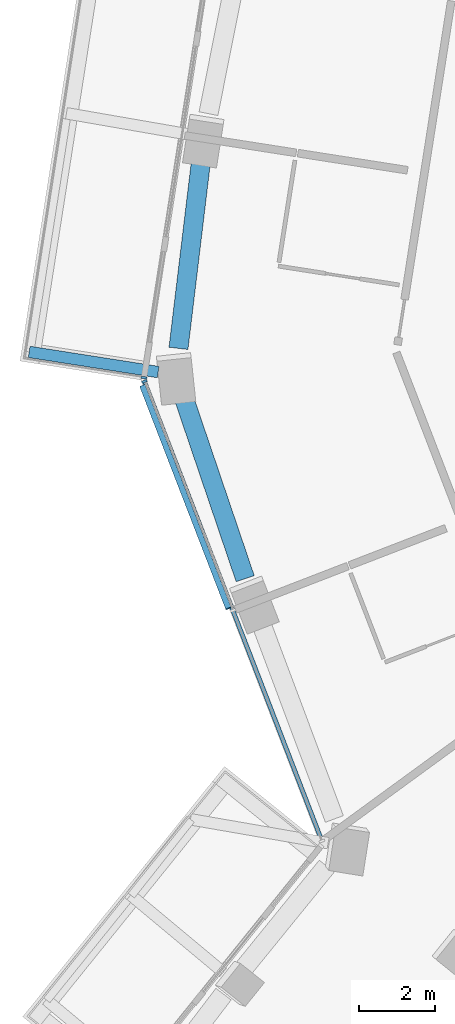
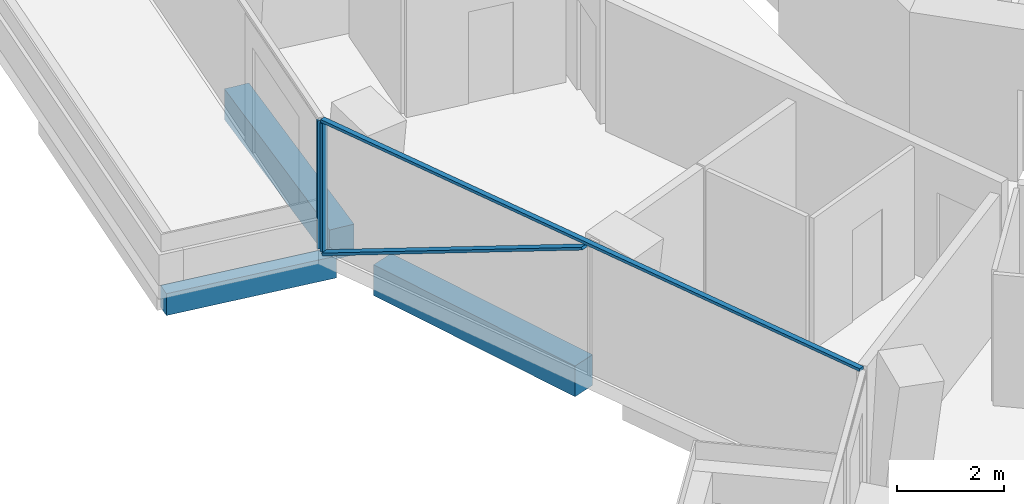
# One storey, part 4 of 23: 4 members, 3 beams, 2 elements without a shape of their own.
"""IFC4 building model written with IfcOpenShell, lengths in metres."""

from ifc_helpers import new_model, si_unit, direction, frame, origin, origin_2d, place, context, subcontext, project, spatial, rectangle, extrude, material, layer, layer_set, material_profile, profile_set, type_object, element, aggregate, save


model = new_model("IFC4")

# Units and contexts
model_context = context("Model", 3, precision=1e-05, world=origin(), true_north=direction((0.0, 1.0)))
body_context = subcontext(model_context, "Body", "Model", "MODEL_VIEW")
ifc_project = project(units=[si_unit("LENGTHUNIT", "METRE"), si_unit("AREAUNIT", "SQUARE_METRE"), si_unit("VOLUMEUNIT", "CUBIC_METRE"), si_unit("PLANEANGLEUNIT", "RADIAN"), si_unit("MASSUNIT", "GRAM", prefix="KILO")], contexts=[model_context])

# Site, building, storey
site_placement = place(None, origin())
site = spatial("IfcSite", under=ifc_project, at=site_placement, CompositionType="ELEMENT")
building_placement = place(site_placement, origin())
building = spatial("IfcBuilding", under=site, at=building_placement, Name="Verdalira Terraces Hotel", CompositionType="ELEMENT")
storey_placement = place(building_placement, frame((0.0, 0.0, 118.5)))
storey = spatial("IfcBuildingStorey", under=building, at=storey_placement, Name="L28", CompositionType="ELEMENT", Elevation=118.5)

# Beam
ifc_material_1 = material(Name="Concrete C40", Category="concrete")
ifc_material_profile_1 = material_profile(ifc_material_1, rectangle(XDim=0.300049, YDim=0.5, at=origin_2d()), Name="RC 300X500")
ifc_profile_set_1 = profile_set([ifc_material_profile_1], Name="Concrete C40")
beam_type_1 = type_object("IfcBeamType", Name="Balcony cantilever beam RC 300X500 C40", PredefinedType="BEAM", material=ifc_profile_set_1)
beam_1_placement = place(storey_placement, frame((-24.516602, -2.471924, -0.560059), z_axis=(-0.98800965, 0.154392136, 0.0), x_axis=(-0.154392136, -0.98800965, 0.0)))
element("IfcBeam", 1, at=beam_1_placement, inside=storey, type_object=beam_type_1, Name="Balcony cantilever beam R11-2", PredefinedType="BEAM", context=body_context, shape_type="SweptSolid", body=[
    extrude(rectangle(XDim=0.300049, YDim=0.5, at=origin_2d()), origin(), (0.0, 0.0, 1.0), 3.417236),
])

# Curtain wall, member
ifc_material_2 = material(Name="Clear glass", Category="glass")
ifc_layer = layer(ifc_material_2, 0.14990234375)
ifc_layer_set = layer_set([ifc_layer], Name="CW1 curtain wall")
curtain_wall_type = type_object("IfcCurtainWallType", Name="CW1 curtain wall", PredefinedType="NOTDEFINED", material=ifc_layer_set)
curtain_wall_1_placement = place(storey_placement, origin())
curtain_wall_1 = element("IfcCurtainWall", 2, at=curtain_wall_1_placement, inside=storey, type_object=curtain_wall_type, Name="CW1 curtain wall L28 edge 12", PredefinedType="NOTDEFINED")
ifc_material_3 = material(Name="Terracotta frame", Category="masonry")
ifc_material_profile_2 = material_profile(ifc_material_3, rectangle(XDim=0.060059, YDim=0.149902, at=origin_2d()), Name="MU 60x150")
ifc_profile_set_2 = profile_set([ifc_material_profile_2], Name="Terracotta frame")
member_type_1 = type_object("IfcMemberType", Name="CW1 mullion 60x150", PredefinedType="MULLION", material=ifc_profile_set_2)
member_1_placement = place(storey_placement, frame((-24.885986, -2.619629, 0.0), z_axis=(0.0, 0.0, 1.0), x_axis=(-0.154365514, -0.98801381, 0.0)))
member_1 = element("IfcMember", 3, at=member_1_placement, type_object=member_type_1, Name="CW1 mullion", PredefinedType="MULLION", context=body_context, shape_type="SweptSolid", body=[
    extrude(rectangle(XDim=0.060059, YDim=0.149902, at=origin_2d()), origin(), (0.0, 0.0, 1.0), 2.935059),
])
aggregate(curtain_wall_1, [member_1])

# Curtain wall, members
curtain_wall_2_placement = place(storey_placement, origin())
curtain_wall_2 = element("IfcCurtainWall", 4, at=curtain_wall_2_placement, inside=storey, type_object=curtain_wall_type, Name="CW1 curtain wall L28 edge 13", PredefinedType="NOTDEFINED")
member_2_placement = place(storey_placement, frame((-24.875732, -2.71582, 0.0), z_axis=(0.0, 0.0, 1.0), x_axis=(0.360322448, -0.932827815, 0.0)))
member_2 = element("IfcMember", 5, at=member_2_placement, type_object=member_type_1, Name="CW1 mullion", PredefinedType="MULLION", context=body_context, shape_type="SweptSolid", body=[
    extrude(rectangle(XDim=0.060059, YDim=0.149902, at=origin_2d()), origin(), (0.0, 0.0, 1.0), 2.935059),
])
ifc_material_4 = material(Name="Terracotta frame", Category="masonry")
ifc_material_profile_3 = material_profile(ifc_material_4, rectangle(XDim=0.110107, YDim=0.064941, at=origin_2d()), Name="TR 65x110")
ifc_profile_set_3 = profile_set([ifc_material_profile_3], Name="Terracotta frame")
member_type_2 = type_object("IfcMemberType", Name="CW1 transom 65x110", PredefinedType="USERDEFINED", material=ifc_profile_set_3)
member_3_placement = place(storey_placement, frame((-24.886475, -2.687988, 2.967529), z_axis=(0.360324398, -0.932827062, 0.0), x_axis=(0.932827062, 0.360324398, 0.0)))
member_3 = element("IfcMember", 6, at=member_3_placement, type_object=member_type_2, Name="CW1 transom", ObjectType="TRANSOM", PredefinedType="USERDEFINED", context=body_context, shape_type="SweptSolid", body=[
    extrude(rectangle(XDim=0.110107, YDim=0.064941, at=origin_2d()), origin(), (0.0, 0.0, 1.0), 12.959717),
])
ifc_material_5 = material(Name="Terracotta frame", Category="masonry")
ifc_material_profile_4 = material_profile(ifc_material_5, rectangle(XDim=0.149902, YDim=0.060059, at=origin_2d()), Name="GB 60x150")
ifc_profile_set_4 = profile_set([ifc_material_profile_4], Name="Terracotta frame")
member_type_3 = type_object("IfcMemberType", Name="Diagonal glazing bar 60x150", PredefinedType="USERDEFINED", material=ifc_profile_set_4)
member_4_placement = place(storey_placement, frame((-24.926025, -2.832764, 0.028076), z_axis=(0.327273097, -0.847212171, 0.418478026), x_axis=(0.932819926, 0.360342871, 0.0)))
member_4 = element("IfcMember", 7, at=member_4_placement, type_object=member_type_3, Name="Diagonal glazing bar", ObjectType="GLAZING BAR", PredefinedType="USERDEFINED", context=body_context, shape_type="SweptSolid", body=[
    extrude(rectangle(XDim=0.149902, YDim=0.060059, at=origin_2d()), origin(), (0.0, 0.0, 1.0), 6.879395),
])
aggregate(curtain_wall_2, [member_2, member_3, member_4])

# Beams
ifc_material_6 = material(Name="Concrete C70", Category="concrete")
ifc_material_profile_5 = material_profile(ifc_material_6, rectangle(XDim=0.5, YDim=0.699951, at=origin_2d()), Name="RC 500X700")
ifc_profile_set_5 = profile_set([ifc_material_profile_5], Name="Concrete C70")
beam_type_2 = type_object("IfcBeamType", Name="Spandrel beam RC 500X700 C70", PredefinedType="SPANDREL", material=ifc_profile_set_5)
beam_2_placement = place(storey_placement, frame((-23.384766, 3.124512, -0.659912), z_axis=(-0.119531271, -0.992830436, 0.0), x_axis=(0.992830436, -0.119531271, 0.0)))
element("IfcBeam", 8, at=beam_2_placement, inside=storey, type_object=beam_type_2, Name="Spandrel beam B05", PredefinedType="SPANDREL", context=body_context, shape_type="SweptSolid", body=[
    extrude(rectangle(XDim=0.5, YDim=0.699951, at=origin_2d()), origin(), (0.0, 0.0, 1.0), 5.012207),
])
beam_3_placement = place(storey_placement, frame((-23.848633, -3.132568, -0.659912), z_axis=(0.321334542, -0.94696574, 0.0), x_axis=(0.94696574, 0.321334542, 0.0)))
element("IfcBeam", 9, at=beam_3_placement, inside=storey, type_object=beam_type_2, Name="Spandrel beam B06", PredefinedType="SPANDREL", context=body_context, shape_type="SweptSolid", body=[
    extrude(rectangle(XDim=0.5, YDim=0.699951, at=origin_2d()), origin(), (0.0, 0.0, 1.0), 5.015137),
])

save(model, "model.ifc")
